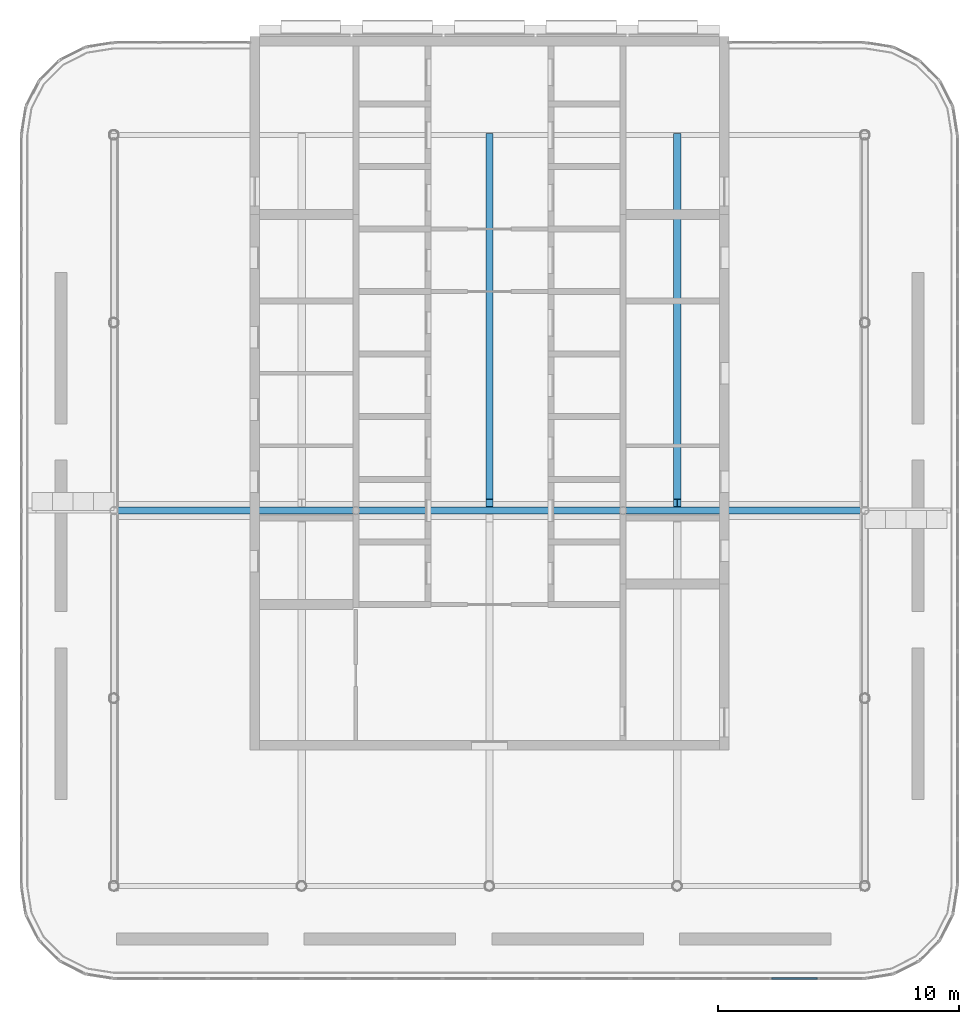
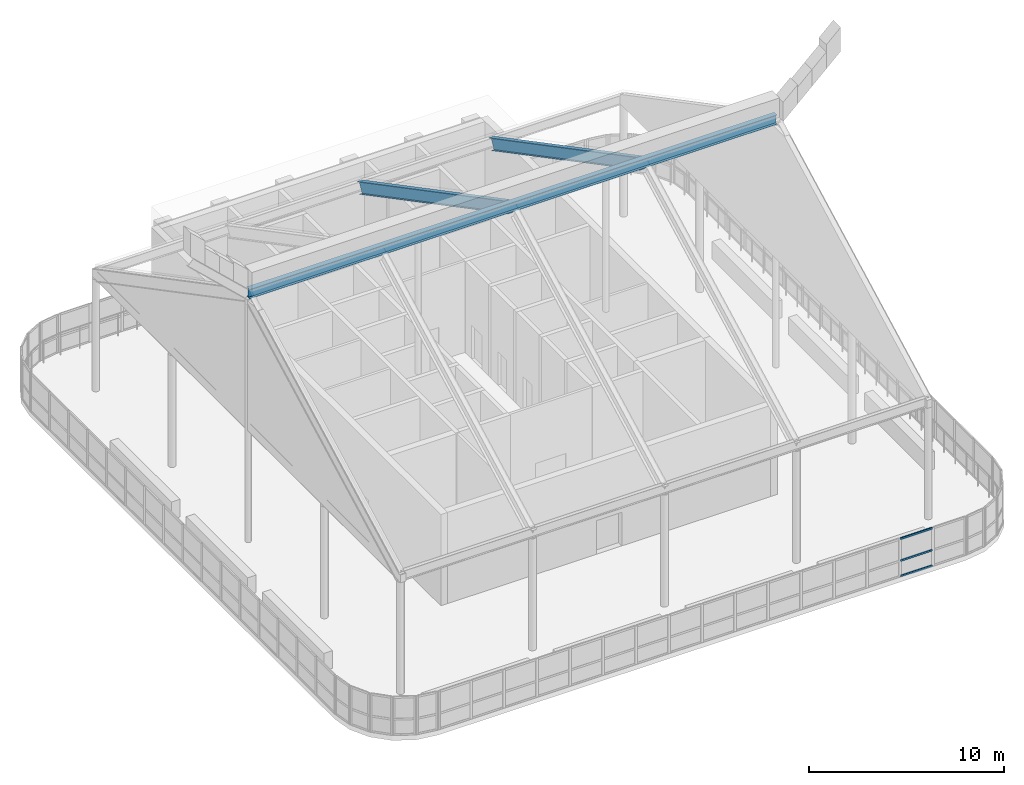
# One storey, part 8 of 19: 3 beams, 3 members, 1 element without a shape of its own.
"""IFC4 building model written with IfcOpenShell, lengths in metres."""

from ifc_helpers import new_model, si_unit, direction, frame, origin, origin_2d, place, context, subcontext, project, spatial, rectangle, i_section, extrude, material, material_profile, profile_set, type_object, element, aggregate, save


model = new_model("IFC4")

# Units and contexts
model_context = context("Model", 3, precision=1e-05, world=origin(), true_north=direction((0.0, 1.0)))
body_context = subcontext(model_context, "Body", "Model", "MODEL_VIEW")
ifc_project = project(units=[si_unit("LENGTHUNIT", "METRE"), si_unit("AREAUNIT", "SQUARE_METRE"), si_unit("VOLUMEUNIT", "CUBIC_METRE"), si_unit("PLANEANGLEUNIT", "RADIAN"), si_unit("MASSUNIT", "GRAM", prefix="KILO")], contexts=[model_context])

# Site, building, storey
site_placement = place(None, origin())
site = spatial("IfcSite", under=ifc_project, at=site_placement, CompositionType="ELEMENT")
building_placement = place(site_placement, origin())
building = spatial("IfcBuilding", under=site, at=building_placement, Name="Ludao Terraces", CompositionType="ELEMENT")
storey_placement = place(building_placement, frame((0.0, 0.0, 266.39990234375)))
storey = spatial("IfcBuildingStorey", under=building, at=storey_placement, Name="L73", CompositionType="ELEMENT", Elevation=266.39990234375)

# Beams
ifc_material_1 = material(Name="Steel Q355", Category="steel")
ifc_material_profile_1 = material_profile(ifc_material_1, i_section(OverallWidth=0.300048828125, OverallDepth=0.699951171875, WebThickness=0.012939453125, FlangeThickness=0.02392578125, at=origin_2d()), Name="HN 700X300X13X24")
ifc_profile_set_1 = profile_set([ifc_material_profile_1], Name="Steel Q355")
beam_type_1 = type_object("IfcBeamType", Name="Canopy rafter HN 700x300x13x24 Q355", PredefinedType="BEAM", material=ifc_profile_set_1)
for number, where, z_axis, x_axis, name in (
    (1, (85.0, 80.5, 7.252685546875), (0.0, -0.885167271236, 0.465272932732), (1.0, 0.0, 0.0), "Canopy rafter north 234"),
    (2, (92.800048828125, 80.5, 7.252685546875), (0.0, -0.885167271236, 0.465272932732), (1.0, 0.0, 0.0), "Canopy rafter north 312"),
):
    element("IfcBeam", number, at=place(storey_placement, frame(where, z_axis=z_axis, x_axis=x_axis)), inside=storey, type_object=beam_type_1, Name=name, PredefinedType="BEAM", context=body_context, shape_type="SweptSolid", body=[
        extrude(i_section(OverallWidth=0.300048828125, OverallDepth=0.699951171875, WebThickness=0.012939453125, FlangeThickness=0.02392578125, at=origin_2d()), origin(), (0.0, 0.0, 1.0), 17.151611328125),
    ])
ifc_material_profile_2 = material_profile(ifc_material_1, i_section(OverallWidth=0.300048828125, OverallDepth=0.587890625, WebThickness=0.011962890625, FlangeThickness=0.02001953125, at=origin_2d()), Name="HM 588X300X12X20")
ifc_profile_set_2 = profile_set([ifc_material_profile_2], Name="Steel Q355")
beam_type_2 = type_object("IfcBeamType", Name="Canopy ridge beam HM 588x300x12x20 Q355", PredefinedType="BEAM", material=ifc_profile_set_2)
beam_placement = place(storey_placement, frame((69.39990234375, 65.0, 15.50146484375), z_axis=(1.0, 0.0, 0.0), x_axis=(0.0, 1.0, 0.0)))
element("IfcBeam", 3, at=beam_placement, inside=storey, type_object=beam_type_2, Name="Canopy ridge beam", PredefinedType="BEAM", context=body_context, shape_type="SweptSolid", body=[
    extrude(i_section(OverallWidth=0.300048828125, OverallDepth=0.587890625, WebThickness=0.011962890625, FlangeThickness=0.02001953125, at=origin_2d()), origin(), (0.0, 0.0, 1.0), 31.2001953125),
])

# Curtain wall, members
ifc_material_2 = material(Name="Aluminium curtain wall with fritted glass", Category="aluminium")
curtain_wall_type = type_object("IfcCurtainWallType", Name="ENV CW6 crown screen glazing", PredefinedType="NOTDEFINED", material=ifc_material_2)
curtain_wall_placement = place(storey_placement, origin())
curtain_wall = element("IfcCurtainWall", 4, at=curtain_wall_placement, inside=storey, type_object=curtain_wall_type, Name="Deck windscreen S1", PredefinedType="NOTDEFINED")
ifc_material_3 = material(Name="Aluminium 6063-T6", Category="aluminium")
ifc_material_profile_3 = material_profile(ifc_material_3, rectangle(XDim=0.070068359375, YDim=0.110107421875, at=origin_2d()), Name="70 X 110")
ifc_profile_set_3 = profile_set([ifc_material_profile_3], Name="Aluminium 6063-T6")
member_type = type_object("IfcMemberType", Name="ENV CW6 transom 70x110", PredefinedType="USERDEFINED", material=ifc_profile_set_3)
member_1_placement = place(storey_placement, frame((96.735107421875, 45.56005859375, 0.03515625), z_axis=(1.0, 0.0, 0.0), x_axis=(0.0, 1.0, 0.0)))
member_1 = element("IfcMember", 5, at=member_1_placement, type_object=member_type, Name="CW6 transom 15.1", ObjectType="TRANSOM", PredefinedType="USERDEFINED", context=body_context, shape_type="SweptSolid", body=[
    extrude(rectangle(XDim=0.070068359375, YDim=0.110107421875, at=origin_2d()), origin(), (0.0, 0.0, 1.0), 1.8798828125),
])
member_2_placement = place(storey_placement, frame((96.735107421875, 45.56005859375, 1.0), z_axis=(1.0, 0.0, 0.0), x_axis=(0.0, 1.0, 0.0)))
member_2 = element("IfcMember", 6, at=member_2_placement, type_object=member_type, Name="CW6 transom 15.2", ObjectType="TRANSOM", PredefinedType="USERDEFINED", context=body_context, shape_type="SweptSolid", body=[
    extrude(rectangle(XDim=0.070068359375, YDim=0.110107421875, at=origin_2d()), origin(), (0.0, 0.0, 1.0), 1.8798828125),
])
member_3_placement = place(storey_placement, frame((96.735107421875, 45.56005859375, 2.364990234375), z_axis=(1.0, 0.0, 0.0), x_axis=(0.0, 1.0, 0.0)))
member_3 = element("IfcMember", 7, at=member_3_placement, type_object=member_type, Name="CW6 transom 15.3", ObjectType="TRANSOM", PredefinedType="USERDEFINED", context=body_context, shape_type="SweptSolid", body=[
    extrude(rectangle(XDim=0.070068359375, YDim=0.110107421875, at=origin_2d()), origin(), (0.0, 0.0, 1.0), 1.8798828125),
])
aggregate(curtain_wall, [member_1, member_2, member_3])

save(model, "model.ifc")
